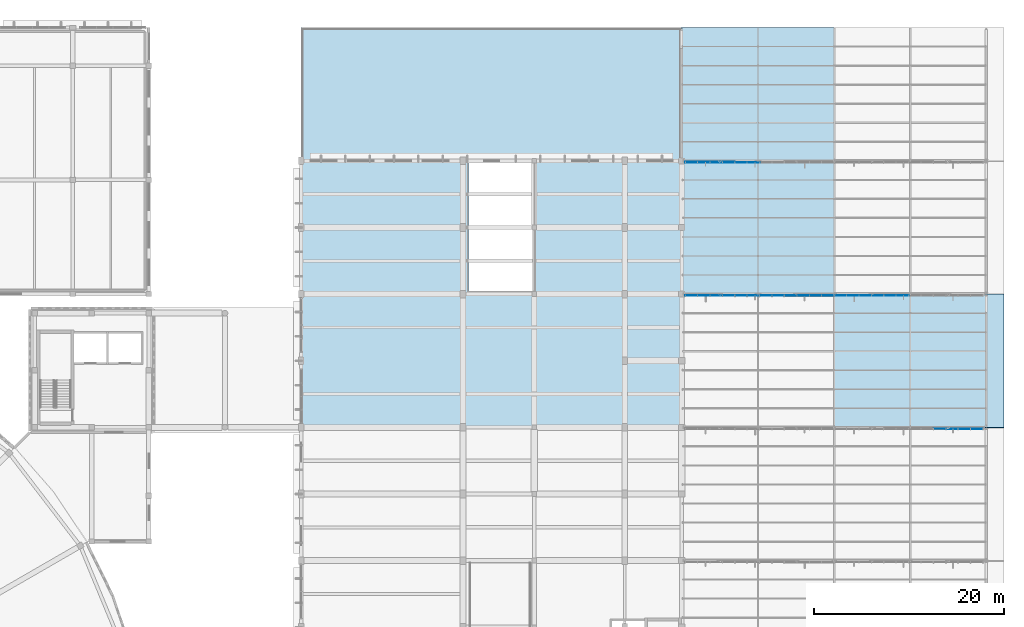
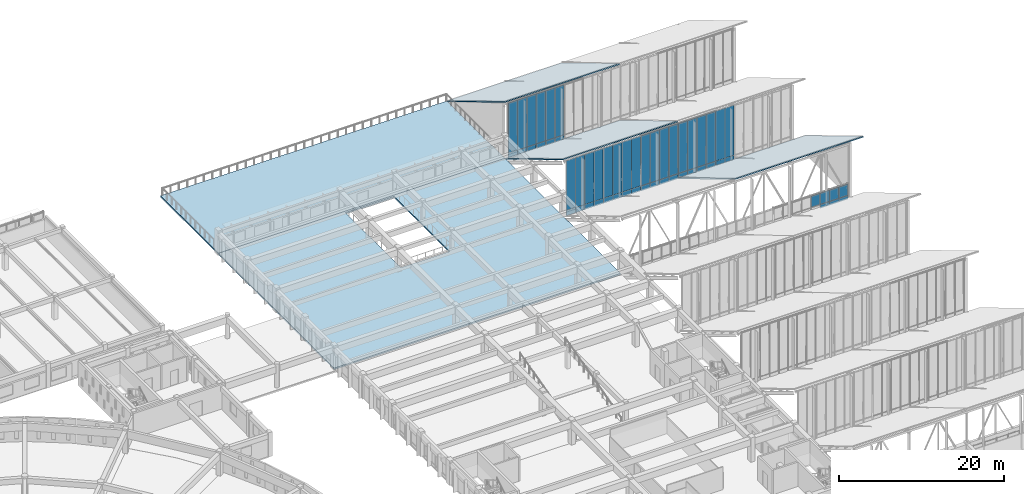
# One storey, part 82 of 155: 55 plates, 5 slabs, 11 elements without a shape of their own.
"""IFC4 building model written with IfcOpenShell, lengths in metres."""

from ifc_helpers import new_model, si_unit, direction, frame, origin, origin_2d, place, context, subcontext, project, spatial, polyline, rectangle, outline, extrude, material, layer, layer_set, type_object, element, aggregate, save


model = new_model("IFC4")

# Units and contexts
model_context = context("Model", 3, precision=1e-05, world=origin(), true_north=direction((0.0, 1.0)))
body_context = subcontext(model_context, "Body", "Model", "MODEL_VIEW")
ifc_project = project(units=[si_unit("LENGTHUNIT", "METRE"), si_unit("AREAUNIT", "SQUARE_METRE"), si_unit("VOLUMEUNIT", "CUBIC_METRE"), si_unit("PLANEANGLEUNIT", "RADIAN"), si_unit("MASSUNIT", "GRAM", prefix="KILO")], contexts=[model_context])

# Site, building, storey
site_placement = place(None, origin())
site = spatial("IfcSite", under=ifc_project, at=site_placement, CompositionType="ELEMENT")
building_placement = place(site_placement, origin())
building = spatial("IfcBuilding", under=site, at=building_placement, Name="Larkveld Mobility Hub", CompositionType="ELEMENT")
storey_placement = place(building_placement, frame((0.0, 0.0, 8.39990234375)))
storey = spatial("IfcBuildingStorey", under=building, at=storey_placement, Name="L02", CompositionType="ELEMENT", Elevation=8.39990234375)

# Curtain wall, plates
ifc_material_1 = material(Name="Anodised aluminium 6063-T6", Category="aluminium")
curtain_wall_type_1 = type_object("IfcCurtainWallType", Name="CW-SYS-01", PredefinedType="NOTDEFINED", material=ifc_material_1)
curtain_wall_1_placement = place(storey_placement, origin())
curtain_wall_1 = element("IfcCurtainWall", 1, at=curtain_wall_1_placement, inside=storey, type_object=curtain_wall_type_1, Name="Sawtooth South-Light Clerestory B5 CW-037", PredefinedType="NOTDEFINED")
ifc_material_2 = material(Name="Low-E laminated solar-control double glazing", Category="glass")
ifc_layer_1 = layer(ifc_material_2, 0.028076171875, Name="Low-E laminated solar-control double glazing", Category="glass")
ifc_layer_set_1 = layer_set([ifc_layer_1], Name="Low-E laminated solar-control double glazing")
plate_type_1 = type_object("IfcPlateType", Name="CW-PNL-GL01", PredefinedType="CURTAIN_PANEL", material=ifc_layer_set_1)
plate_1_placement = place(storey_placement, frame((179.094970703125, 83.844970703125, 0.564453125), z_axis=(0.0, 0.0, 1.0), x_axis=(1.0, 0.0, 0.0)))
plate_1 = element("IfcPlate", 2, at=plate_1_placement, type_object=plate_type_1, Name="CW01 panel 1", PredefinedType="CURTAIN_PANEL", context=body_context, shape_type="SweptSolid", body=[
    extrude(rectangle(XDim=1.27392578125, YDim=0.028076171875, at=origin_2d()), origin(), (0.0, 0.0, 1.0), 1.6630859375),
])
plate_2_placement = place(storey_placement, frame((180.388916015625, 83.844970703125, 0.564453125), z_axis=(0.0, 0.0, 1.0), x_axis=(1.0, 0.0, 0.0)))
plate_2 = element("IfcPlate", 3, at=plate_2_placement, type_object=plate_type_1, Name="CW01 panel 2", PredefinedType="CURTAIN_PANEL", context=body_context, shape_type="SweptSolid", body=[
    extrude(rectangle(XDim=1.2939453125, YDim=0.028076171875, at=origin_2d()), origin(), (0.0, 0.0, 1.0), 1.6630859375),
])
plate_3_placement = place(storey_placement, frame((181.694091796875, 83.844970703125, 0.564453125), z_axis=(0.0, 0.0, 1.0), x_axis=(1.0, 0.0, 0.0)))
plate_3 = element("IfcPlate", 4, at=plate_3_placement, type_object=plate_type_1, Name="CW01 panel 3", PredefinedType="CURTAIN_PANEL", context=body_context, shape_type="SweptSolid", body=[
    extrude(rectangle(XDim=1.2939453125, YDim=0.028076171875, at=origin_2d()), origin(), (0.0, 0.0, 1.0), 1.6630859375),
])
plate_4_placement = place(storey_placement, frame((182.988037109375, 83.844970703125, 0.564453125), z_axis=(0.0, 0.0, 1.0), x_axis=(1.0, 0.0, 0.0)))
plate_4 = element("IfcPlate", 5, at=plate_4_placement, type_object=plate_type_1, Name="CW01 panel 4", PredefinedType="CURTAIN_PANEL", context=body_context, shape_type="SweptSolid", body=[
    extrude(rectangle(XDim=1.27392578125, YDim=0.028076171875, at=origin_2d()), origin(), (0.0, 0.0, 1.0), 1.6630859375),
])

curtain_wall_type_2 = type_object("IfcCurtainWallType", Name="CW-SYS-04", PredefinedType="NOTDEFINED", material=ifc_material_1)
curtain_wall_2_placement = place(storey_placement, origin())
curtain_wall_2 = element("IfcCurtainWall", 6, at=curtain_wall_2_placement, inside=storey, type_object=curtain_wall_type_2, Name="Sawtooth South-Light Clerestory B6 CW-040", PredefinedType="NOTDEFINED")
plate_5_placement = place(storey_placement, frame((163.445068359375, 97.844970703125, 0.75), z_axis=(0.0, 0.0, 1.0), x_axis=(1.0, 0.0, 0.0)))
plate_5 = element("IfcPlate", 7, at=plate_5_placement, type_object=plate_type_1, Name="CW04 panel 1", PredefinedType="CURTAIN_PANEL", context=body_context, shape_type="SweptSolid", body=[
    extrude(rectangle(XDim=1.27392578125, YDim=0.028076171875, at=origin_2d()), origin(), (0.0, 0.0, 1.0), 7.367919921875),
])
plate_6_placement = place(storey_placement, frame((164.739013671875, 97.844970703125, 0.75), z_axis=(0.0, 0.0, 1.0), x_axis=(1.0, 0.0, 0.0)))
plate_6 = element("IfcPlate", 8, at=plate_6_placement, type_object=plate_type_1, Name="CW04 panel 2", PredefinedType="CURTAIN_PANEL", context=body_context, shape_type="SweptSolid", body=[
    extrude(rectangle(XDim=1.2939453125, YDim=0.028076171875, at=origin_2d()), origin(), (0.0, 0.0, 1.0), 7.367919921875),
])
plate_7_placement = place(storey_placement, frame((166.04296875, 97.844970703125, 0.75), z_axis=(0.0, 0.0, 1.0), x_axis=(1.0, 0.0, 0.0)))
plate_7 = element("IfcPlate", 9, at=plate_7_placement, type_object=plate_type_1, Name="CW04 panel 3", PredefinedType="CURTAIN_PANEL", context=body_context, shape_type="SweptSolid", body=[
    extrude(rectangle(XDim=1.2939453125, YDim=0.028076171875, at=origin_2d()), origin(), (0.0, 0.0, 1.0), 7.367919921875),
])
plate_8_placement = place(storey_placement, frame((167.337890625, 97.844970703125, 0.75), z_axis=(0.0, 0.0, 1.0), x_axis=(1.0, 0.0, 0.0)))
plate_8 = element("IfcPlate", 10, at=plate_8_placement, type_object=plate_type_1, Name="CW04 panel 4", PredefinedType="CURTAIN_PANEL", context=body_context, shape_type="SweptSolid", body=[
    extrude(rectangle(XDim=1.27392578125, YDim=0.028076171875, at=origin_2d()), origin(), (0.0, 0.0, 1.0), 7.367919921875),
])

curtain_wall_type_3 = type_object("IfcCurtainWallType", Name="CW-SYS-02", PredefinedType="NOTDEFINED", material=ifc_material_1)
curtain_wall_3_placement = place(storey_placement, origin())
curtain_wall_3 = element("IfcCurtainWall", 11, at=curtain_wall_3_placement, inside=storey, type_object=curtain_wall_type_3, Name="Sawtooth South-Light Clerestory B6 CW-038", PredefinedType="NOTDEFINED")
ifc_material_3 = material(Name="Acoustic solar-control laminated double glazing", Category="glass")
ifc_layer_2 = layer(ifc_material_3, 0.031982421875, Name="Acoustic solar-control laminated double glazing", Category="glass")
ifc_layer_set_2 = layer_set([ifc_layer_2], Name="Acoustic solar-control laminated double glazing")
plate_type_2 = type_object("IfcPlateType", Name="CW-PNL-GL02", PredefinedType="CURTAIN_PANEL", material=ifc_layer_set_2)
plate_9_placement = place(storey_placement, frame((153.011962890625, 97.844970703125, 0.75), z_axis=(0.0, 0.0, 1.0), x_axis=(1.0, 0.0, 0.0)))
plate_9 = element("IfcPlate", 12, at=plate_9_placement, type_object=plate_type_2, Name="CW02 panel 1", PredefinedType="CURTAIN_PANEL", context=body_context, shape_type="SweptSolid", body=[
    extrude(rectangle(XDim=1.27392578125, YDim=0.031982421875, at=origin_2d()), origin(), (0.0, 0.0, 1.0), 7.367919921875),
])
plate_10_placement = place(storey_placement, frame((154.305908203125, 97.844970703125, 0.75), z_axis=(0.0, 0.0, 1.0), x_axis=(1.0, 0.0, 0.0)))
plate_10 = element("IfcPlate", 13, at=plate_10_placement, type_object=plate_type_2, Name="CW02 panel 2", PredefinedType="CURTAIN_PANEL", context=body_context, shape_type="SweptSolid", body=[
    extrude(rectangle(XDim=1.2939453125, YDim=0.031982421875, at=origin_2d()), origin(), (0.0, 0.0, 1.0), 7.367919921875),
])
plate_11_placement = place(storey_placement, frame((155.611083984375, 97.844970703125, 0.75), z_axis=(0.0, 0.0, 1.0), x_axis=(1.0, 0.0, 0.0)))
plate_11 = element("IfcPlate", 14, at=plate_11_placement, type_object=plate_type_2, Name="CW02 panel 3", PredefinedType="CURTAIN_PANEL", context=body_context, shape_type="SweptSolid", body=[
    extrude(rectangle(XDim=1.2939453125, YDim=0.031982421875, at=origin_2d()), origin(), (0.0, 0.0, 1.0), 7.367919921875),
])
plate_12_placement = place(storey_placement, frame((156.905029296875, 97.844970703125, 0.75), z_axis=(0.0, 0.0, 1.0), x_axis=(1.0, 0.0, 0.0)))
plate_12 = element("IfcPlate", 15, at=plate_12_placement, type_object=plate_type_2, Name="CW02 panel 4", PredefinedType="CURTAIN_PANEL", context=body_context, shape_type="SweptSolid", body=[
    extrude(rectangle(XDim=1.27392578125, YDim=0.031982421875, at=origin_2d()), origin(), (0.0, 0.0, 1.0), 7.367919921875),
])

curtain_wall_type_4 = type_object("IfcCurtainWallType", Name="CW-SYS-05", PredefinedType="NOTDEFINED", material=ifc_material_1)
curtain_wall_4_placement = place(storey_placement, origin())
curtain_wall_4 = element("IfcCurtainWall", 16, at=curtain_wall_4_placement, inside=storey, type_object=curtain_wall_type_4, Name="Sawtooth South-Light Clerestory B6 CW-041", PredefinedType="NOTDEFINED")
plate_13_placement = place(storey_placement, frame((168.662109375, 97.844970703125, 0.75), z_axis=(0.0, 0.0, 1.0), x_axis=(1.0, 0.0, 0.0)))
plate_13 = element("IfcPlate", 17, at=plate_13_placement, type_object=plate_type_2, Name="CW05 panel 1", PredefinedType="CURTAIN_PANEL", context=body_context, shape_type="SweptSolid", body=[
    extrude(rectangle(XDim=1.27392578125, YDim=0.031982421875, at=origin_2d()), origin(), (0.0, 0.0, 1.0), 7.367919921875),
])
plate_14_placement = place(storey_placement, frame((169.9560546875, 97.844970703125, 0.75), z_axis=(0.0, 0.0, 1.0), x_axis=(1.0, 0.0, 0.0)))
plate_14 = element("IfcPlate", 18, at=plate_14_placement, type_object=plate_type_2, Name="CW05 panel 2", PredefinedType="CURTAIN_PANEL", context=body_context, shape_type="SweptSolid", body=[
    extrude(rectangle(XDim=1.2939453125, YDim=0.031982421875, at=origin_2d()), origin(), (0.0, 0.0, 1.0), 7.367919921875),
])
plate_15_placement = place(storey_placement, frame((171.260009765625, 97.844970703125, 0.75), z_axis=(0.0, 0.0, 1.0), x_axis=(1.0, 0.0, 0.0)))
plate_15 = element("IfcPlate", 19, at=plate_15_placement, type_object=plate_type_2, Name="CW05 panel 3", PredefinedType="CURTAIN_PANEL", context=body_context, shape_type="SweptSolid", body=[
    extrude(rectangle(XDim=1.2939453125, YDim=0.031982421875, at=origin_2d()), origin(), (0.0, 0.0, 1.0), 7.367919921875),
])
plate_16_placement = place(storey_placement, frame((172.554931640625, 97.844970703125, 0.75), z_axis=(0.0, 0.0, 1.0), x_axis=(1.0, 0.0, 0.0)))
plate_16 = element("IfcPlate", 20, at=plate_16_placement, type_object=plate_type_2, Name="CW05 panel 4", PredefinedType="CURTAIN_PANEL", context=body_context, shape_type="SweptSolid", body=[
    extrude(rectangle(XDim=1.27392578125, YDim=0.031982421875, at=origin_2d()), origin(), (0.0, 0.0, 1.0), 7.367919921875),
])

curtain_wall_type_5 = type_object("IfcCurtainWallType", Name="CW-SYS-08", PredefinedType="NOTDEFINED", material=ifc_material_1)
curtain_wall_5_placement = place(storey_placement, origin())
curtain_wall_5 = element("IfcCurtainWall", 21, at=curtain_wall_5_placement, inside=storey, type_object=curtain_wall_type_5, Name="Sawtooth South-Light Clerestory B7 CW-044", PredefinedType="NOTDEFINED")
plate_17_placement = place(storey_placement, frame((153.011962890625, 111.844970703125, 0.75), z_axis=(0.0, 0.0, 1.0), x_axis=(1.0, 0.0, 0.0)))
plate_17 = element("IfcPlate", 22, at=plate_17_placement, type_object=plate_type_2, Name="CW08 panel 1", PredefinedType="CURTAIN_PANEL", context=body_context, shape_type="SweptSolid", body=[
    extrude(rectangle(XDim=1.27392578125, YDim=0.031982421875, at=origin_2d()), origin(), (0.0, 0.0, 1.0), 7.367919921875),
])
plate_18_placement = place(storey_placement, frame((154.305908203125, 111.844970703125, 0.75), z_axis=(0.0, 0.0, 1.0), x_axis=(1.0, 0.0, 0.0)))
plate_18 = element("IfcPlate", 23, at=plate_18_placement, type_object=plate_type_2, Name="CW08 panel 2", PredefinedType="CURTAIN_PANEL", context=body_context, shape_type="SweptSolid", body=[
    extrude(rectangle(XDim=1.2939453125, YDim=0.031982421875, at=origin_2d()), origin(), (0.0, 0.0, 1.0), 7.367919921875),
])
plate_19_placement = place(storey_placement, frame((155.611083984375, 111.844970703125, 0.75), z_axis=(0.0, 0.0, 1.0), x_axis=(1.0, 0.0, 0.0)))
plate_19 = element("IfcPlate", 24, at=plate_19_placement, type_object=plate_type_2, Name="CW08 panel 3", PredefinedType="CURTAIN_PANEL", context=body_context, shape_type="SweptSolid", body=[
    extrude(rectangle(XDim=1.2939453125, YDim=0.031982421875, at=origin_2d()), origin(), (0.0, 0.0, 1.0), 7.367919921875),
])
plate_20_placement = place(storey_placement, frame((156.905029296875, 111.844970703125, 0.75), z_axis=(0.0, 0.0, 1.0), x_axis=(1.0, 0.0, 0.0)))
plate_20 = element("IfcPlate", 25, at=plate_20_placement, type_object=plate_type_2, Name="CW08 panel 4", PredefinedType="CURTAIN_PANEL", context=body_context, shape_type="SweptSolid", body=[
    extrude(rectangle(XDim=1.27392578125, YDim=0.031982421875, at=origin_2d()), origin(), (0.0, 0.0, 1.0), 7.367919921875),
])

curtain_wall_type_6 = type_object("IfcCurtainWallType", Name="CW-SYS-03", PredefinedType="NOTDEFINED", material=ifc_material_1)
curtain_wall_6_placement = place(storey_placement, origin())
curtain_wall_6 = element("IfcCurtainWall", 26, at=curtain_wall_6_placement, inside=storey, type_object=curtain_wall_type_6, Name="Sawtooth South-Light Clerestory B6 CW-039", PredefinedType="NOTDEFINED")
ifc_material_4 = material(Name="Tinted safety double glazing", Category="glass")
ifc_layer_3 = layer(ifc_material_4, 0.035888671875, Name="Tinted safety double glazing", Category="glass")
ifc_layer_set_3 = layer_set([ifc_layer_3], Name="Tinted safety double glazing")
plate_type_3 = type_object("IfcPlateType", Name="CW-PNL-GL03", PredefinedType="CURTAIN_PANEL", material=ifc_layer_set_3)
plate_21_placement = place(storey_placement, frame((158.22900390625, 97.844970703125, 0.75), z_axis=(0.0, 0.0, 1.0), x_axis=(1.0, 0.0, 0.0)))
plate_21 = element("IfcPlate", 27, at=plate_21_placement, type_object=plate_type_3, Name="CW03 panel 1", PredefinedType="CURTAIN_PANEL", context=body_context, shape_type="SweptSolid", body=[
    extrude(rectangle(XDim=1.27392578125, YDim=0.035888671875, at=origin_2d()), origin(), (0.0, 0.0, 1.0), 7.367919921875),
])
plate_22_placement = place(storey_placement, frame((159.52294921875, 97.844970703125, 0.75), z_axis=(0.0, 0.0, 1.0), x_axis=(1.0, 0.0, 0.0)))
plate_22 = element("IfcPlate", 28, at=plate_22_placement, type_object=plate_type_3, Name="CW03 panel 2", PredefinedType="CURTAIN_PANEL", context=body_context, shape_type="SweptSolid", body=[
    extrude(rectangle(XDim=1.2939453125, YDim=0.035888671875, at=origin_2d()), origin(), (0.0, 0.0, 1.0), 7.367919921875),
])
plate_23_placement = place(storey_placement, frame((160.826904296875, 97.844970703125, 0.75), z_axis=(0.0, 0.0, 1.0), x_axis=(1.0, 0.0, 0.0)))
plate_23 = element("IfcPlate", 29, at=plate_23_placement, type_object=plate_type_3, Name="CW03 panel 3", PredefinedType="CURTAIN_PANEL", context=body_context, shape_type="SweptSolid", body=[
    extrude(rectangle(XDim=1.2939453125, YDim=0.035888671875, at=origin_2d()), origin(), (0.0, 0.0, 1.0), 7.367919921875),
])
plate_24_placement = place(storey_placement, frame((162.1220703125, 97.844970703125, 0.75), z_axis=(0.0, 0.0, 1.0), x_axis=(1.0, 0.0, 0.0)))
plate_24 = element("IfcPlate", 30, at=plate_24_placement, type_object=plate_type_3, Name="CW03 panel 4", PredefinedType="CURTAIN_PANEL", context=body_context, shape_type="SweptSolid", body=[
    extrude(rectangle(XDim=1.27392578125, YDim=0.035888671875, at=origin_2d()), origin(), (0.0, 0.0, 1.0), 7.367919921875),
])

curtain_wall_type_7 = type_object("IfcCurtainWallType", Name="CW-SYS-06", PredefinedType="NOTDEFINED", material=ifc_material_1)
curtain_wall_7_placement = place(storey_placement, origin())
curtain_wall_7 = element("IfcCurtainWall", 31, at=curtain_wall_7_placement, inside=storey, type_object=curtain_wall_type_7, Name="Sawtooth South-Light Clerestory B6 CW-042", PredefinedType="NOTDEFINED")
plate_25_placement = place(storey_placement, frame((173.87890625, 97.844970703125, 0.75), z_axis=(0.0, 0.0, 1.0), x_axis=(1.0, 0.0, 0.0)))
plate_25 = element("IfcPlate", 32, at=plate_25_placement, type_object=plate_type_3, Name="CW06 panel 1", PredefinedType="CURTAIN_PANEL", context=body_context, shape_type="SweptSolid", body=[
    extrude(rectangle(XDim=1.27392578125, YDim=0.035888671875, at=origin_2d()), origin(), (0.0, 0.0, 1.0), 7.367919921875),
])
plate_26_placement = place(storey_placement, frame((175.173095703125, 97.844970703125, 0.75), z_axis=(0.0, 0.0, 1.0), x_axis=(1.0, 0.0, 0.0)))
plate_26 = element("IfcPlate", 33, at=plate_26_placement, type_object=plate_type_3, Name="CW06 panel 2", PredefinedType="CURTAIN_PANEL", context=body_context, shape_type="SweptSolid", body=[
    extrude(rectangle(XDim=1.2939453125, YDim=0.035888671875, at=origin_2d()), origin(), (0.0, 0.0, 1.0), 7.367919921875),
])

curtain_wall_type_8 = type_object("IfcCurtainWallType", Name="CW-SYS-09", PredefinedType="NOTDEFINED", material=ifc_material_1)
curtain_wall_8_placement = place(storey_placement, origin())
curtain_wall_8 = element("IfcCurtainWall", 34, at=curtain_wall_8_placement, inside=storey, type_object=curtain_wall_type_8, Name="Sawtooth South-Light Clerestory B7 CW-045", PredefinedType="NOTDEFINED")
plate_27_placement = place(storey_placement, frame((158.22900390625, 111.844970703125, 0.75), z_axis=(0.0, 0.0, 1.0), x_axis=(1.0, 0.0, 0.0)))
plate_27 = element("IfcPlate", 35, at=plate_27_placement, type_object=plate_type_3, Name="CW09 panel 1", PredefinedType="CURTAIN_PANEL", context=body_context, shape_type="SweptSolid", body=[
    extrude(rectangle(XDim=1.27392578125, YDim=0.035888671875, at=origin_2d()), origin(), (0.0, 0.0, 1.0), 7.367919921875),
])
plate_28_placement = place(storey_placement, frame((159.52294921875, 111.844970703125, 0.75), z_axis=(0.0, 0.0, 1.0), x_axis=(1.0, 0.0, 0.0)))
plate_28 = element("IfcPlate", 36, at=plate_28_placement, type_object=plate_type_3, Name="CW09 panel 2", PredefinedType="CURTAIN_PANEL", context=body_context, shape_type="SweptSolid", body=[
    extrude(rectangle(XDim=1.2939453125, YDim=0.035888671875, at=origin_2d()), origin(), (0.0, 0.0, 1.0), 7.367919921875),
])

# Plate
ifc_material_5 = material(Name="Insulated fluoropolymer aluminium spandrel", Category="aluminium")
ifc_layer_4 = layer(ifc_material_5, 0.06494140625, Name="Insulated fluoropolymer aluminium spandrel", Category="aluminium")
ifc_layer_set_4 = layer_set([ifc_layer_4], Name="Insulated fluoropolymer aluminium spandrel")
plate_type_4 = type_object("IfcPlateType", Name="CW-PNL-SP01", PredefinedType="CURTAIN_PANEL", material=ifc_layer_set_4)
plate_29_placement = place(storey_placement, frame((180.388916015625, 83.844970703125, 0.0), z_axis=(0.0, 0.0, 1.0), x_axis=(1.0, 0.0, 0.0)))
plate_29 = element("IfcPlate", 37, at=plate_29_placement, type_object=plate_type_4, Name="CW01 spandrel 2", PredefinedType="CURTAIN_PANEL", context=body_context, shape_type="SweptSolid", body=[
    extrude(rectangle(XDim=1.2939453125, YDim=0.06494140625, at=origin_2d()), origin(), (0.0, 0.0, 1.0), 0.552001953125),
])

plate_30_placement = place(storey_placement, frame((181.694091796875, 83.844970703125, 0.0), z_axis=(0.0, 0.0, 1.0), x_axis=(1.0, 0.0, 0.0)))
plate_30 = element("IfcPlate", 38, at=plate_30_placement, type_object=plate_type_4, Name="CW01 spandrel 3", PredefinedType="CURTAIN_PANEL", context=body_context, shape_type="SweptSolid", body=[
    extrude(rectangle(XDim=1.2939453125, YDim=0.06494140625, at=origin_2d()), origin(), (0.0, 0.0, 1.0), 0.552001953125),
])

plate_31_placement = place(storey_placement, frame((182.988037109375, 83.844970703125, 0.0), z_axis=(0.0, 0.0, 1.0), x_axis=(1.0, 0.0, 0.0)))
plate_31 = element("IfcPlate", 39, at=plate_31_placement, type_object=plate_type_4, Name="CW01 spandrel 4", PredefinedType="CURTAIN_PANEL", context=body_context, shape_type="SweptSolid", body=[
    extrude(rectangle(XDim=1.27392578125, YDim=0.06494140625, at=origin_2d()), origin(), (0.0, 0.0, 1.0), 0.552001953125),
])

aggregate(curtain_wall_1, [plate_1, plate_29, plate_2, plate_30, plate_3, plate_31, plate_4])

plate_32_placement = place(storey_placement, frame((158.22900390625, 97.844970703125, 0.0), z_axis=(0.0, 0.0, 1.0), x_axis=(1.0, 0.0, 0.0)))
plate_32 = element("IfcPlate", 40, at=plate_32_placement, type_object=plate_type_4, Name="CW03 spandrel 1", PredefinedType="CURTAIN_PANEL", context=body_context, shape_type="SweptSolid", body=[
    extrude(rectangle(XDim=1.27392578125, YDim=0.06494140625, at=origin_2d()), origin(), (0.0, 0.0, 1.0), 0.738037109375),
])

plate_33_placement = place(storey_placement, frame((159.52294921875, 97.844970703125, 0.0), z_axis=(0.0, 0.0, 1.0), x_axis=(1.0, 0.0, 0.0)))
plate_33 = element("IfcPlate", 41, at=plate_33_placement, type_object=plate_type_4, Name="CW03 spandrel 2", PredefinedType="CURTAIN_PANEL", context=body_context, shape_type="SweptSolid", body=[
    extrude(rectangle(XDim=1.2939453125, YDim=0.06494140625, at=origin_2d()), origin(), (0.0, 0.0, 1.0), 0.738037109375),
])

plate_34_placement = place(storey_placement, frame((160.826904296875, 97.844970703125, 0.0), z_axis=(0.0, 0.0, 1.0), x_axis=(1.0, 0.0, 0.0)))
plate_34 = element("IfcPlate", 42, at=plate_34_placement, type_object=plate_type_4, Name="CW03 spandrel 3", PredefinedType="CURTAIN_PANEL", context=body_context, shape_type="SweptSolid", body=[
    extrude(rectangle(XDim=1.2939453125, YDim=0.06494140625, at=origin_2d()), origin(), (0.0, 0.0, 1.0), 0.738037109375),
])

plate_35_placement = place(storey_placement, frame((162.1220703125, 97.844970703125, 0.0), z_axis=(0.0, 0.0, 1.0), x_axis=(1.0, 0.0, 0.0)))
plate_35 = element("IfcPlate", 43, at=plate_35_placement, type_object=plate_type_4, Name="CW03 spandrel 4", PredefinedType="CURTAIN_PANEL", context=body_context, shape_type="SweptSolid", body=[
    extrude(rectangle(XDim=1.27392578125, YDim=0.06494140625, at=origin_2d()), origin(), (0.0, 0.0, 1.0), 0.738037109375),
])

aggregate(curtain_wall_6, [plate_32, plate_21, plate_33, plate_22, plate_34, plate_23, plate_35, plate_24])

plate_36_placement = place(storey_placement, frame((168.662109375, 97.844970703125, 0.0), z_axis=(0.0, 0.0, 1.0), x_axis=(1.0, 0.0, 0.0)))
plate_36 = element("IfcPlate", 44, at=plate_36_placement, type_object=plate_type_4, Name="CW05 spandrel 1", PredefinedType="CURTAIN_PANEL", context=body_context, shape_type="SweptSolid", body=[
    extrude(rectangle(XDim=1.27392578125, YDim=0.06494140625, at=origin_2d()), origin(), (0.0, 0.0, 1.0), 0.738037109375),
])

plate_37_placement = place(storey_placement, frame((169.9560546875, 97.844970703125, 0.0), z_axis=(0.0, 0.0, 1.0), x_axis=(1.0, 0.0, 0.0)))
plate_37 = element("IfcPlate", 45, at=plate_37_placement, type_object=plate_type_4, Name="CW05 spandrel 2", PredefinedType="CURTAIN_PANEL", context=body_context, shape_type="SweptSolid", body=[
    extrude(rectangle(XDim=1.2939453125, YDim=0.06494140625, at=origin_2d()), origin(), (0.0, 0.0, 1.0), 0.738037109375),
])

plate_38_placement = place(storey_placement, frame((171.260009765625, 97.844970703125, 0.0), z_axis=(0.0, 0.0, 1.0), x_axis=(1.0, 0.0, 0.0)))
plate_38 = element("IfcPlate", 46, at=plate_38_placement, type_object=plate_type_4, Name="CW05 spandrel 3", PredefinedType="CURTAIN_PANEL", context=body_context, shape_type="SweptSolid", body=[
    extrude(rectangle(XDim=1.2939453125, YDim=0.06494140625, at=origin_2d()), origin(), (0.0, 0.0, 1.0), 0.738037109375),
])

plate_39_placement = place(storey_placement, frame((172.554931640625, 97.844970703125, 0.0), z_axis=(0.0, 0.0, 1.0), x_axis=(1.0, 0.0, 0.0)))
plate_39 = element("IfcPlate", 47, at=plate_39_placement, type_object=plate_type_4, Name="CW05 spandrel 4", PredefinedType="CURTAIN_PANEL", context=body_context, shape_type="SweptSolid", body=[
    extrude(rectangle(XDim=1.27392578125, YDim=0.06494140625, at=origin_2d()), origin(), (0.0, 0.0, 1.0), 0.738037109375),
])

aggregate(curtain_wall_4, [plate_36, plate_13, plate_37, plate_14, plate_38, plate_15, plate_39, plate_16])

plate_40_placement = place(storey_placement, frame((158.22900390625, 111.844970703125, 0.0), z_axis=(0.0, 0.0, 1.0), x_axis=(1.0, 0.0, 0.0)))
plate_40 = element("IfcPlate", 48, at=plate_40_placement, type_object=plate_type_4, Name="CW09 spandrel 1", PredefinedType="CURTAIN_PANEL", context=body_context, shape_type="SweptSolid", body=[
    extrude(rectangle(XDim=1.27392578125, YDim=0.06494140625, at=origin_2d()), origin(), (0.0, 0.0, 1.0), 0.738037109375),
])

plate_41_placement = place(storey_placement, frame((159.52294921875, 111.844970703125, 0.0), z_axis=(0.0, 0.0, 1.0), x_axis=(1.0, 0.0, 0.0)))
plate_41 = element("IfcPlate", 49, at=plate_41_placement, type_object=plate_type_4, Name="CW09 spandrel 2", PredefinedType="CURTAIN_PANEL", context=body_context, shape_type="SweptSolid", body=[
    extrude(rectangle(XDim=1.2939453125, YDim=0.06494140625, at=origin_2d()), origin(), (0.0, 0.0, 1.0), 0.738037109375),
])

aggregate(curtain_wall_8, [plate_40, plate_27, plate_41, plate_28])

ifc_material_6 = material(Name="Insulated terracotta-toned aluminium spandrel", Category="masonry")
ifc_layer_5 = layer(ifc_material_6, 0.080078125, Name="Insulated terracotta-toned aluminium spandrel", Category="masonry")
ifc_layer_set_5 = layer_set([ifc_layer_5], Name="Insulated terracotta-toned aluminium spandrel")
plate_type_5 = type_object("IfcPlateType", Name="CW-PNL-SP02", PredefinedType="CURTAIN_PANEL", material=ifc_layer_set_5)
plate_42_placement = place(storey_placement, frame((153.011962890625, 97.844970703125, 0.0), z_axis=(0.0, 0.0, 1.0), x_axis=(1.0, 0.0, 0.0)))
plate_42 = element("IfcPlate", 50, at=plate_42_placement, type_object=plate_type_5, Name="CW02 spandrel 1", PredefinedType="CURTAIN_PANEL", context=body_context, shape_type="SweptSolid", body=[
    extrude(rectangle(XDim=1.27392578125, YDim=0.080078125, at=origin_2d()), origin(), (0.0, 0.0, 1.0), 0.738037109375),
])

plate_43_placement = place(storey_placement, frame((154.305908203125, 97.844970703125, 0.0), z_axis=(0.0, 0.0, 1.0), x_axis=(1.0, 0.0, 0.0)))
plate_43 = element("IfcPlate", 51, at=plate_43_placement, type_object=plate_type_5, Name="CW02 spandrel 2", PredefinedType="CURTAIN_PANEL", context=body_context, shape_type="SweptSolid", body=[
    extrude(rectangle(XDim=1.2939453125, YDim=0.080078125, at=origin_2d()), origin(), (0.0, 0.0, 1.0), 0.738037109375),
])

plate_44_placement = place(storey_placement, frame((155.611083984375, 97.844970703125, 0.0), z_axis=(0.0, 0.0, 1.0), x_axis=(1.0, 0.0, 0.0)))
plate_44 = element("IfcPlate", 52, at=plate_44_placement, type_object=plate_type_5, Name="CW02 spandrel 3", PredefinedType="CURTAIN_PANEL", context=body_context, shape_type="SweptSolid", body=[
    extrude(rectangle(XDim=1.2939453125, YDim=0.080078125, at=origin_2d()), origin(), (0.0, 0.0, 1.0), 0.738037109375),
])

plate_45_placement = place(storey_placement, frame((156.905029296875, 97.844970703125, 0.0), z_axis=(0.0, 0.0, 1.0), x_axis=(1.0, 0.0, 0.0)))
plate_45 = element("IfcPlate", 53, at=plate_45_placement, type_object=plate_type_5, Name="CW02 spandrel 4", PredefinedType="CURTAIN_PANEL", context=body_context, shape_type="SweptSolid", body=[
    extrude(rectangle(XDim=1.27392578125, YDim=0.080078125, at=origin_2d()), origin(), (0.0, 0.0, 1.0), 0.738037109375),
])

aggregate(curtain_wall_3, [plate_42, plate_9, plate_43, plate_10, plate_44, plate_11, plate_45, plate_12])

plate_46_placement = place(storey_placement, frame((163.445068359375, 97.844970703125, 0.0), z_axis=(0.0, 0.0, 1.0), x_axis=(1.0, 0.0, 0.0)))
plate_46 = element("IfcPlate", 54, at=plate_46_placement, type_object=plate_type_5, Name="CW04 spandrel 1", PredefinedType="CURTAIN_PANEL", context=body_context, shape_type="SweptSolid", body=[
    extrude(rectangle(XDim=1.27392578125, YDim=0.080078125, at=origin_2d()), origin(), (0.0, 0.0, 1.0), 0.738037109375),
])

plate_47_placement = place(storey_placement, frame((164.739013671875, 97.844970703125, 0.0), z_axis=(0.0, 0.0, 1.0), x_axis=(1.0, 0.0, 0.0)))
plate_47 = element("IfcPlate", 55, at=plate_47_placement, type_object=plate_type_5, Name="CW04 spandrel 2", PredefinedType="CURTAIN_PANEL", context=body_context, shape_type="SweptSolid", body=[
    extrude(rectangle(XDim=1.2939453125, YDim=0.080078125, at=origin_2d()), origin(), (0.0, 0.0, 1.0), 0.738037109375),
])

plate_48_placement = place(storey_placement, frame((166.04296875, 97.844970703125, 0.0), z_axis=(0.0, 0.0, 1.0), x_axis=(1.0, 0.0, 0.0)))
plate_48 = element("IfcPlate", 56, at=plate_48_placement, type_object=plate_type_5, Name="CW04 spandrel 3", PredefinedType="CURTAIN_PANEL", context=body_context, shape_type="SweptSolid", body=[
    extrude(rectangle(XDim=1.2939453125, YDim=0.080078125, at=origin_2d()), origin(), (0.0, 0.0, 1.0), 0.738037109375),
])

plate_49_placement = place(storey_placement, frame((167.337890625, 97.844970703125, 0.0), z_axis=(0.0, 0.0, 1.0), x_axis=(1.0, 0.0, 0.0)))
plate_49 = element("IfcPlate", 57, at=plate_49_placement, type_object=plate_type_5, Name="CW04 spandrel 4", PredefinedType="CURTAIN_PANEL", context=body_context, shape_type="SweptSolid", body=[
    extrude(rectangle(XDim=1.27392578125, YDim=0.080078125, at=origin_2d()), origin(), (0.0, 0.0, 1.0), 0.738037109375),
])

aggregate(curtain_wall_2, [plate_46, plate_5, plate_47, plate_6, plate_48, plate_7, plate_49, plate_8])

plate_50_placement = place(storey_placement, frame((173.87890625, 97.844970703125, 0.0), z_axis=(0.0, 0.0, 1.0), x_axis=(1.0, 0.0, 0.0)))
plate_50 = element("IfcPlate", 58, at=plate_50_placement, type_object=plate_type_5, Name="CW06 spandrel 1", PredefinedType="CURTAIN_PANEL", context=body_context, shape_type="SweptSolid", body=[
    extrude(rectangle(XDim=1.27392578125, YDim=0.080078125, at=origin_2d()), origin(), (0.0, 0.0, 1.0), 0.738037109375),
])

plate_51_placement = place(storey_placement, frame((175.173095703125, 97.844970703125, 0.0), z_axis=(0.0, 0.0, 1.0), x_axis=(1.0, 0.0, 0.0)))
plate_51 = element("IfcPlate", 59, at=plate_51_placement, type_object=plate_type_5, Name="CW06 spandrel 2", PredefinedType="CURTAIN_PANEL", context=body_context, shape_type="SweptSolid", body=[
    extrude(rectangle(XDim=1.2939453125, YDim=0.080078125, at=origin_2d()), origin(), (0.0, 0.0, 1.0), 0.738037109375),
])

aggregate(curtain_wall_7, [plate_50, plate_25, plate_51, plate_26])

plate_52_placement = place(storey_placement, frame((153.011962890625, 111.844970703125, 0.0), z_axis=(0.0, 0.0, 1.0), x_axis=(1.0, 0.0, 0.0)))
plate_52 = element("IfcPlate", 60, at=plate_52_placement, type_object=plate_type_5, Name="CW08 spandrel 1", PredefinedType="CURTAIN_PANEL", context=body_context, shape_type="SweptSolid", body=[
    extrude(rectangle(XDim=1.27392578125, YDim=0.080078125, at=origin_2d()), origin(), (0.0, 0.0, 1.0), 0.738037109375),
])

plate_53_placement = place(storey_placement, frame((154.305908203125, 111.844970703125, 0.0), z_axis=(0.0, 0.0, 1.0), x_axis=(1.0, 0.0, 0.0)))
plate_53 = element("IfcPlate", 61, at=plate_53_placement, type_object=plate_type_5, Name="CW08 spandrel 2", PredefinedType="CURTAIN_PANEL", context=body_context, shape_type="SweptSolid", body=[
    extrude(rectangle(XDim=1.2939453125, YDim=0.080078125, at=origin_2d()), origin(), (0.0, 0.0, 1.0), 0.738037109375),
])

plate_54_placement = place(storey_placement, frame((155.611083984375, 111.844970703125, 0.0), z_axis=(0.0, 0.0, 1.0), x_axis=(1.0, 0.0, 0.0)))
plate_54 = element("IfcPlate", 62, at=plate_54_placement, type_object=plate_type_5, Name="CW08 spandrel 3", PredefinedType="CURTAIN_PANEL", context=body_context, shape_type="SweptSolid", body=[
    extrude(rectangle(XDim=1.2939453125, YDim=0.080078125, at=origin_2d()), origin(), (0.0, 0.0, 1.0), 0.738037109375),
])

plate_55_placement = place(storey_placement, frame((156.905029296875, 111.844970703125, 0.0), z_axis=(0.0, 0.0, 1.0), x_axis=(1.0, 0.0, 0.0)))
plate_55 = element("IfcPlate", 63, at=plate_55_placement, type_object=plate_type_5, Name="CW08 spandrel 4", PredefinedType="CURTAIN_PANEL", context=body_context, shape_type="SweptSolid", body=[
    extrude(rectangle(XDim=1.27392578125, YDim=0.080078125, at=origin_2d()), origin(), (0.0, 0.0, 1.0), 0.738037109375),
])

aggregate(curtain_wall_5, [plate_52, plate_17, plate_53, plate_18, plate_54, plate_19, plate_55, plate_20])

# Slab
ifc_material_7 = material(Name="Concrete C40/50", Category="concrete")
ifc_layer_6 = layer(ifc_material_7, 0.215087890625, Name="Concrete C40/50", Category="concrete")
ifc_layer_set_6 = layer_set([ifc_layer_6], Name="Concrete C40/50")
slab_type_1 = type_object("IfcSlabType", Name="SL-DT-215", PredefinedType="FLOOR", material=ifc_layer_set_6)
slab_1_placement = place(storey_placement, frame((0.0, 0.0, -0.21484375)))
element("IfcSlab", 64, at=slab_1_placement, inside=storey, type_object=slab_type_1, Name="EV Wing and Sports Pavilion Slab L02-142", PredefinedType="FLOOR", context=body_context, shape_type="SweptSolid", body=[
    extrude(outline(polyline([(112.0, 84.0), (152.0, 84.0), (152.0, 112.0), (112.0, 112.0), (112.0, 84.0)]), holes=[polyline([(129.580078125, 98.330078125), (129.580078125, 111.75), (136.39990234375, 111.75), (136.39990234375, 98.330078125), (129.580078125, 98.330078125)])]), origin(), (0.0, 0.0, 1.0), 0.21484375),
])

# Roof, slab
ifc_material_8 = material(Name="Steel S355JR", Category="steel")
roof_type = type_object("IfcRoofType", Name="ROF-SAW-01", PredefinedType="SHED_ROOF", material=ifc_material_8)
roof_1_placement = place(storey_placement, origin())
roof_1 = element("IfcRoof", 65, at=roof_1_placement, inside=storey, type_object=roof_type, Name="Sawtooth South-Light Roof Bay 5", PredefinedType="SHED_ROOF")
ifc_material_9 = material(Name="Precast concrete C50/60", Category="concrete")
ifc_layer_7 = layer(ifc_material_9, 0.139892578125, Name="Precast concrete C50/60", Category="concrete")
ifc_layer_set_7 = layer_set([ifc_layer_7], Name="Precast concrete C50/60")
slab_type_2 = type_object("IfcSlabType", Name="SL-RF-SAW140", PredefinedType="ROOF", material=ifc_layer_set_7)
slab_2_placement = place(storey_placement, frame((168.0, 84.0, 8.400146484375), z_axis=(0.0, 0.51450235251, 0.857488967429), x_axis=(1.0, 0.0, 0.0)))
slab_2 = element("IfcSlab", 66, at=slab_2_placement, type_object=slab_type_2, Name="Sawtooth North-Sloped Roof Slab B5.2", PredefinedType="ROOF", context=body_context, shape_type="SweptSolid", body=[
    extrude(outline(polyline([(0.0, 0.0), (17.85009765625, 0.0), (17.85009765625, 16.3267406716392), (0.0, 16.3267406716392), (0.0, 0.0)])), origin(), (0.0, 0.0, -1.0), 0.139892578125),
])
aggregate(roof_1, [slab_2])

roof_2_placement = place(storey_placement, origin())
roof_2 = element("IfcRoof", 67, at=roof_2_placement, inside=storey, type_object=roof_type, Name="Sawtooth South-Light Roof Bay 6", PredefinedType="SHED_ROOF")
slab_3_placement = place(storey_placement, frame((152.0, 98.0, 8.400146484375), z_axis=(0.0, 0.51450235251, 0.857488967429), x_axis=(1.0, 0.0, 0.0)))
slab_3 = element("IfcSlab", 68, at=slab_3_placement, type_object=slab_type_2, Name="Sawtooth North-Sloped Roof Slab B6.1", PredefinedType="ROOF", context=body_context, shape_type="SweptSolid", body=[
    extrude(outline(polyline([(0.0, 0.0), (16.0, 0.0), (16.0, 16.326740671639204), (0.0, 16.326740671639204), (0.0, 0.0)])), origin(), (0.0, 0.0, -1.0), 0.139892578125),
])
aggregate(roof_2, [slab_3])

roof_3_placement = place(storey_placement, origin())
roof_3 = element("IfcRoof", 69, at=roof_3_placement, inside=storey, type_object=roof_type, Name="Sawtooth South-Light Roof Bay 7", PredefinedType="SHED_ROOF")
slab_4_placement = place(storey_placement, frame((152.0, 112.0, 8.400146484375), z_axis=(0.0, 0.51450235251, 0.857488967429), x_axis=(1.0, 0.0, 0.0)))
slab_4 = element("IfcSlab", 70, at=slab_4_placement, type_object=slab_type_2, Name="Sawtooth North-Sloped Roof Slab B7.1", PredefinedType="ROOF", context=body_context, shape_type="SweptSolid", body=[
    extrude(outline(polyline([(0.0, 0.0), (16.0, 0.0), (16.0, 16.326740671639204), (0.0, 16.326740671639204), (0.0, 0.0)])), origin(), (0.0, 0.0, -1.0), 0.139892578125),
])
aggregate(roof_3, [slab_4])

# Slab
ifc_layer_8 = layer(ifc_material_7, 0.22509765625, Name="Concrete C40/50", Category="concrete")
ifc_layer_set_8 = layer_set([ifc_layer_8], Name="Concrete C40/50")
slab_type_3 = type_object("IfcSlabType", Name="SL-TER-225", PredefinedType="FLOOR", material=ifc_layer_set_8)
slab_5_placement = place(storey_placement, frame((0.0, 0.0, -0.224853515625)))
element("IfcSlab", 71, at=slab_5_placement, inside=storey, type_object=slab_type_3, Name="Stepped North Terrace and Veranda Slab L02-143", PredefinedType="FLOOR", context=body_context, shape_type="SweptSolid", body=[
    extrude(outline(polyline([(112.0, 112.0), (152.0, 112.0), (152.0, 126.0), (112.0, 126.0), (112.0, 112.0)])), origin(), (0.0, 0.0, 1.0), 0.224853515625),
])

save(model, "model.ifc")
